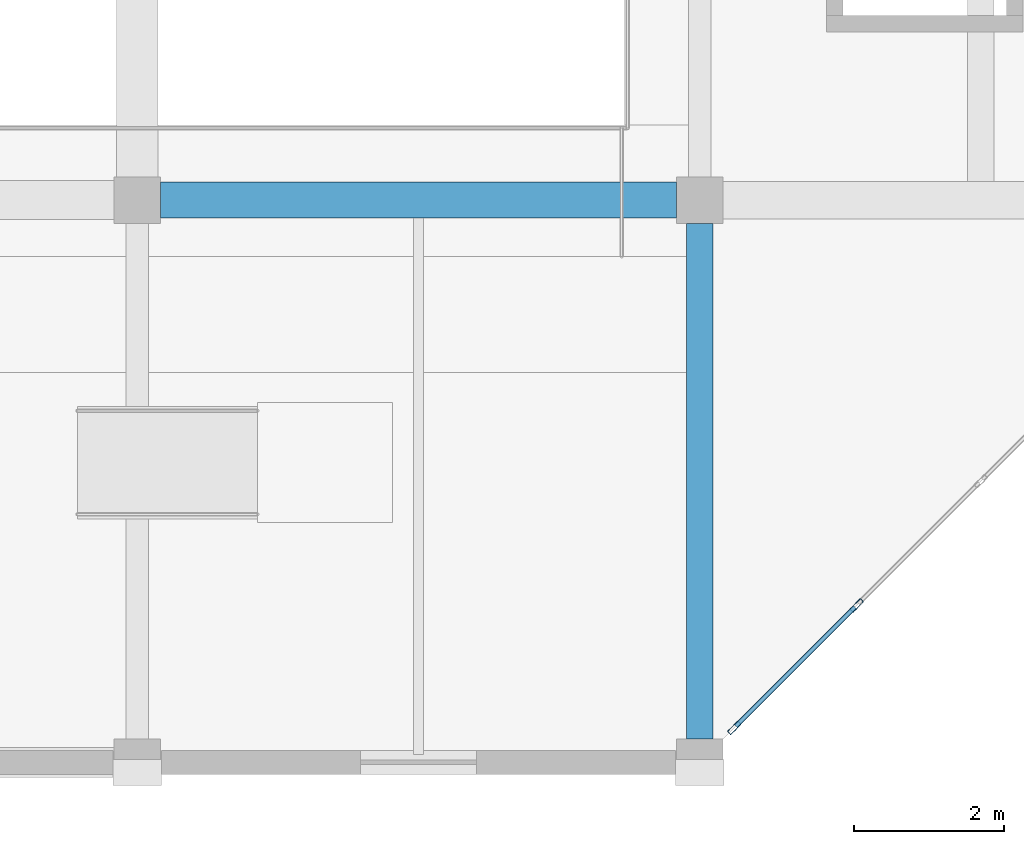
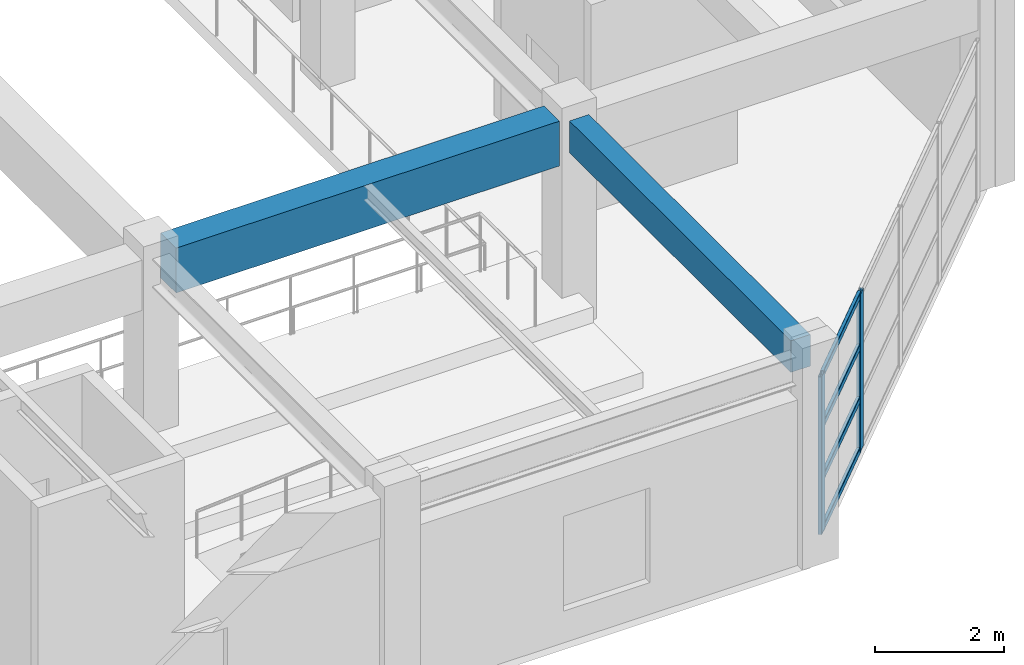
# One storey, part 66 of 132: 6 members, 2 beams, 1 element without a shape of its own.
"""IFC4 building model written with IfcOpenShell, lengths in metres."""

from ifc_helpers import new_model, si_unit, direction, frame, origin, origin_2d, place, context, subcontext, project, spatial, rectangle, hollow_rectangle, extrude, material, material_profile, profile_set, type_object, element, aggregate, save


model = new_model("IFC4")

# Units and contexts
model_context = context("Model", 3, precision=1e-05, world=origin(), true_north=direction((0.0, 1.0)))
body_context = subcontext(model_context, "Body", "Model", "MODEL_VIEW")
ifc_project = project(units=[si_unit("LENGTHUNIT", "METRE"), si_unit("AREAUNIT", "SQUARE_METRE"), si_unit("VOLUMEUNIT", "CUBIC_METRE"), si_unit("PLANEANGLEUNIT", "RADIAN"), si_unit("MASSUNIT", "GRAM", prefix="KILO")], contexts=[model_context])

# Site, building, storey
site_placement = place(None, origin())
site = spatial("IfcSite", under=ifc_project, at=site_placement, CompositionType="ELEMENT")
building_placement = place(site_placement, origin())
building = spatial("IfcBuilding", under=site, at=building_placement, Name="Qasida Concert Hall", CompositionType="ELEMENT")
storey_placement = place(building_placement, frame((0.0, 0.0, 4.800048828125)))
storey = spatial("IfcBuildingStorey", under=building, at=storey_placement, Name="L01", CompositionType="ELEMENT", Elevation=4.800048828125)

# Beams
ifc_material_1 = material(Name="Concrete C40/50", Category="concrete")
ifc_material_profile_1 = material_profile(ifc_material_1, rectangle(XDim=0.35009765625, YDim=0.60009765625, at=origin_2d()), Name="RC 350x600")
ifc_profile_set_1 = profile_set([ifc_material_profile_1], Name="Concrete C40/50")
beam_type_1 = type_object("IfcBeamType", Name="BM-B2", PredefinedType="BEAM", material=ifc_profile_set_1)
beam_1_placement = place(storey_placement, frame((157.5, 0.31005859375, 3.619873046875), z_axis=(0.0, 1.0, 0.0), x_axis=(-1.0, 0.0, 0.0)))
element("IfcBeam", 1, at=beam_1_placement, inside=storey, type_object=beam_type_1, Name="L01 girder 0882", PredefinedType="BEAM", context=body_context, shape_type="SweptSolid", body=[
    extrude(rectangle(XDim=0.35009765625, YDim=0.60009765625, at=origin_2d()), origin(), (0.0, 0.0, 1.0), 6.8798828125),
])
ifc_material_profile_2 = material_profile(ifc_material_1, rectangle(XDim=0.47998046875, YDim=0.85009765625, at=origin_2d()), Name="RC 480x850")
ifc_profile_set_2 = profile_set([ifc_material_profile_2], Name="Concrete C40/50")
beam_type_2 = type_object("IfcBeamType", Name="BM-G6", PredefinedType="USERDEFINED", material=ifc_profile_set_2)
beam_2_placement = place(storey_placement, frame((150.31005859375, 7.5, 3.494873046875), z_axis=(1.0, 0.0, 0.0), x_axis=(0.0, 1.0, 0.0)))
element("IfcBeam", 2, at=beam_2_placement, inside=storey, type_object=beam_type_2, Name="Primary girder 0858", ObjectType="GIRDER", PredefinedType="USERDEFINED", context=body_context, shape_type="SweptSolid", body=[
    extrude(rectangle(XDim=0.47998046875, YDim=0.85009765625, at=origin_2d()), origin(), (0.0, 0.0, 1.0), 6.8798828125),
])

# Curtain wall, members
ifc_material_2 = material(Name="Architectural bronze-anodized aluminium and low-E glass", Category="aluminium")
curtain_wall_type = type_object("IfcCurtainWallType", Name="CW-07", PredefinedType="NOTDEFINED", material=ifc_material_2)
curtain_wall_placement = place(storey_placement, origin())
curtain_wall = element("IfcCurtainWall", 3, at=curtain_wall_placement, inside=storey, type_object=curtain_wall_type, Name="L01 curtain wall CW-07 0143", PredefinedType="NOTDEFINED")
ifc_material_3 = material(Name="Architectural bronze-anodized aluminium EN AW-6063", Category="aluminium")
ifc_material_profile_3 = material_profile(ifc_material_3, hollow_rectangle(XDim=0.06494140625, YDim=0.199951171875, WallThickness=0.0048828125, InnerFilletRadius=0.0048828125, OuterFilletRadius=0.010009765625, at=origin_2d()), Name="CWM 200x65x5")
ifc_profile_set_3 = profile_set([ifc_material_profile_3], Name="Architectural bronze-anodized aluminium EN AW-6063")
member_type_1 = type_object("IfcMemberType", Name="MB-CWM-2", PredefinedType="MULLION", material=ifc_profile_set_3)
member_1_placement = place(storey_placement, frame((157.96142578125, 0.46142578125, 0.0), z_axis=(0.0, 0.0, 1.0), x_axis=(-0.707106781187, 0.707106781187, 0.0)))
member_1 = element("IfcMember", 4, at=member_1_placement, type_object=member_type_1, Name="CW-07 mullion 1", PredefinedType="MULLION", context=body_context, shape_type="SweptSolid", body=[
    extrude(hollow_rectangle(XDim=0.06494140625, YDim=0.199951171875, WallThickness=0.0048828125, InnerFilletRadius=0.0048828125, OuterFilletRadius=0.010009765625, at=origin_2d()), origin(), (0.0, 0.0, 1.0), 2.989990234375),
])
member_2_placement = place(storey_placement, frame((159.59423828125, 2.09423828125, 0.0), z_axis=(0.0, 0.0, 1.0), x_axis=(-0.707106781187, 0.707106781187, 0.0)))
member_2 = element("IfcMember", 5, at=member_2_placement, type_object=member_type_1, Name="CW-07 mullion 2", PredefinedType="MULLION", context=body_context, shape_type="SweptSolid", body=[
    extrude(hollow_rectangle(XDim=0.06494140625, YDim=0.199951171875, WallThickness=0.0048828125, InnerFilletRadius=0.0048828125, OuterFilletRadius=0.010009765625, at=origin_2d()), origin(), (0.0, 0.0, 1.0), 2.989990234375),
])
ifc_material_profile_4 = material_profile(ifc_material_3, hollow_rectangle(XDim=0.06005859375, YDim=0.1201171875, WallThickness=0.00390625, InnerFilletRadius=0.00390625, OuterFilletRadius=0.008056640625, at=origin_2d()), Name="CWT 120x60x4")
ifc_profile_set_4 = profile_set([ifc_material_profile_4], Name="Architectural bronze-anodized aluminium EN AW-6063")
member_type_2 = type_object("IfcMemberType", Name="MB-CWT-2", PredefinedType="USERDEFINED", material=ifc_profile_set_4)
member_3_placement = place(storey_placement, frame((157.984375, 0.484375, 0.030029296875), z_axis=(0.707106781187, 0.707106781187, 0.0), x_axis=(-0.707106781187, 0.707106781187, 0.0)))
member_3 = element("IfcMember", 6, at=member_3_placement, type_object=member_type_2, Name="CW-07 transom 1.1", ObjectType="TRANSOM", PredefinedType="USERDEFINED", context=body_context, shape_type="SweptSolid", body=[
    extrude(hollow_rectangle(XDim=0.06005859375, YDim=0.1201171875, WallThickness=0.00390625, InnerFilletRadius=0.00390625, OuterFilletRadius=0.008056640625, at=origin_2d()), origin(), (0.0, 0.0, 1.0), 2.244140625),
])
member_4_placement = place(storey_placement, frame((157.984375, 0.484375, 0.99658203125), z_axis=(0.707106781187, 0.707106781187, 0.0), x_axis=(-0.707106781187, 0.707106781187, 0.0)))
member_4 = element("IfcMember", 7, at=member_4_placement, type_object=member_type_2, Name="CW-07 transom 1.2", ObjectType="TRANSOM", PredefinedType="USERDEFINED", context=body_context, shape_type="SweptSolid", body=[
    extrude(hollow_rectangle(XDim=0.06005859375, YDim=0.1201171875, WallThickness=0.00390625, InnerFilletRadius=0.00390625, OuterFilletRadius=0.008056640625, at=origin_2d()), origin(), (0.0, 0.0, 1.0), 2.244140625),
])
member_5_placement = place(storey_placement, frame((157.984375, 0.484375, 1.9931640625), z_axis=(0.707106781187, 0.707106781187, 0.0), x_axis=(-0.707106781187, 0.707106781187, 0.0)))
member_5 = element("IfcMember", 8, at=member_5_placement, type_object=member_type_2, Name="CW-07 transom 1.3", ObjectType="TRANSOM", PredefinedType="USERDEFINED", context=body_context, shape_type="SweptSolid", body=[
    extrude(hollow_rectangle(XDim=0.06005859375, YDim=0.1201171875, WallThickness=0.00390625, InnerFilletRadius=0.00390625, OuterFilletRadius=0.008056640625, at=origin_2d()), origin(), (0.0, 0.0, 1.0), 2.244140625),
])
member_6_placement = place(storey_placement, frame((157.984375, 0.484375, 2.9599609375), z_axis=(0.707106781187, 0.707106781187, 0.0), x_axis=(-0.707106781187, 0.707106781187, 0.0)))
member_6 = element("IfcMember", 9, at=member_6_placement, type_object=member_type_2, Name="CW-07 transom 1.4", ObjectType="TRANSOM", PredefinedType="USERDEFINED", context=body_context, shape_type="SweptSolid", body=[
    extrude(hollow_rectangle(XDim=0.06005859375, YDim=0.1201171875, WallThickness=0.00390625, InnerFilletRadius=0.00390625, OuterFilletRadius=0.008056640625, at=origin_2d()), origin(), (0.0, 0.0, 1.0), 2.244140625),
])
aggregate(curtain_wall, [member_1, member_2, member_3, member_4, member_5, member_6])

save(model, "model.ifc")
